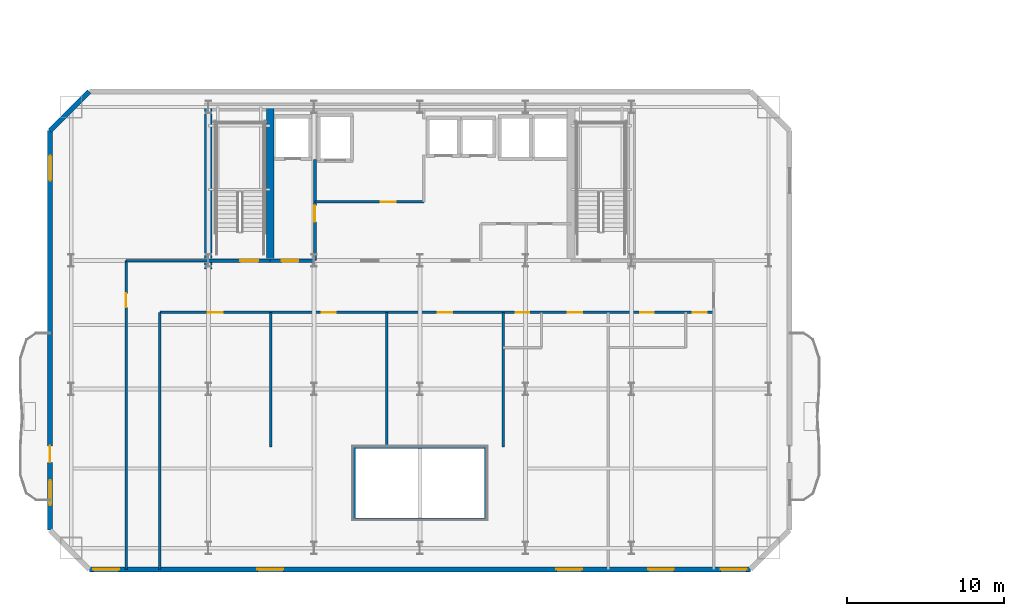
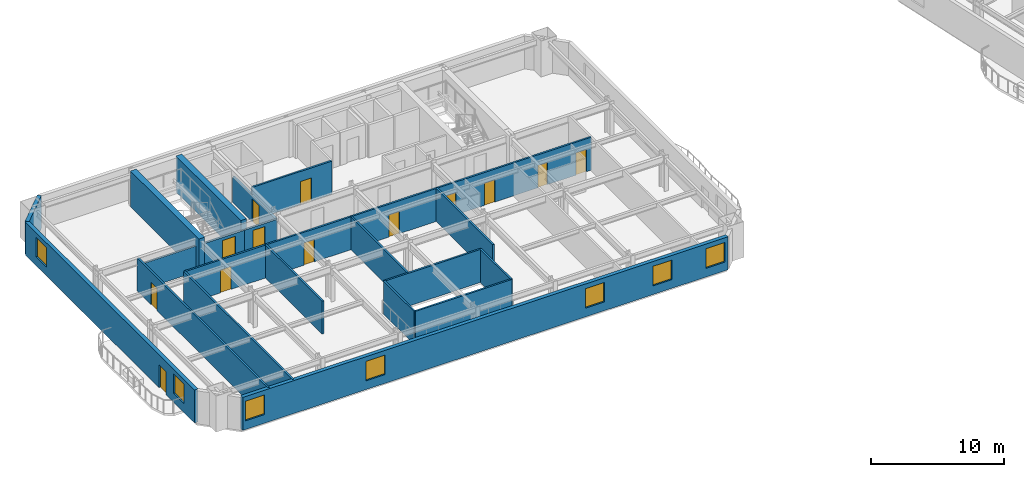
# One storey, part 5 of 13: 20 walls, 13 doors, 7 windows, 20 openings.
"""IFC4 building model written with IfcOpenShell, lengths in metres."""

from ifc_helpers import new_model, si_unit, direction, frame, frame_2d, origin, place, context, subcontext, project, spatial, rectangle, extrude, material, layer, layer_set, type_object, element, fill, save


model = new_model("IFC4")

# Units and contexts
model_context = context("Model", 3, precision=1e-05, world=origin(), true_north=direction((0.0, 1.0)))
body_context = subcontext(model_context, "Body", "Model", "MODEL_VIEW")
ifc_project = project(units=[si_unit("LENGTHUNIT", "METRE"), si_unit("AREAUNIT", "SQUARE_METRE"), si_unit("VOLUMEUNIT", "CUBIC_METRE"), si_unit("PLANEANGLEUNIT", "RADIAN"), si_unit("MASSUNIT", "GRAM", prefix="KILO")], contexts=[model_context])

# Site, building, storey
site_placement = place(None, origin())
site = spatial("IfcSite", under=ifc_project, at=site_placement, CompositionType="ELEMENT")
building_placement = place(site_placement, origin())
building = spatial("IfcBuilding", under=site, at=building_placement, Name="Haevon Station Towers", CompositionType="ELEMENT")
storey_placement = place(building_placement, frame((0.0, 0.0, 99.89990234375)))
storey = spatial("IfcBuildingStorey", under=building, at=storey_placement, Name="L26", CompositionType="ELEMENT", Elevation=99.89990234375)

# Wall, opening, door
ifc_material_1 = material(Name="Gypsum board on steel stud", Category="steel")
ifc_layer_1 = layer(ifc_material_1, 0.199951171875)
ifc_layer_set_1 = layer_set([ifc_layer_1], Name="Gypsum board on steel stud")
wall_type_1 = type_object("IfcWallType", Name="WL-COR200", PredefinedType="PARTITIONING", material=ifc_layer_set_1)
wall_1_placement = place(storey_placement, frame((24.0, 38.199951171875, 0.0), z_axis=(0.0, 0.0, 1.0), x_axis=(1.0, 0.0, 0.0)))
wall_1 = element("IfcWall", 1, at=wall_1_placement, inside=storey, type_object=wall_type_1, Name="WL-ST-ST1-L26", PredefinedType="PARTITIONING", context=body_context, shape_type="SweptSolid", body=[
    extrude(rectangle(XDim=3.949951171875, YDim=0.199951171875, at=frame_2d((1.97509765625, 0.0))), origin(), (0.0, 0.0, 1.0), 2.380126953125),
])
opening_1_placement = place(wall_1_placement, frame((2.050048828125, 0.0, 0.0)))
opening_1 = element("IfcOpeningElement", 2, at=opening_1_placement, cuts=wall_1, Name="Opening DR-ST-ST1-L26", PredefinedType="OPENING", context=body_context, shape_type="SweptSolid", body=[
    extrude(rectangle(XDim=1.1201171875, YDim=2.10009765625, at=frame_2d((0.56005859375, 1.050048828125))), frame((0.0, 0.10986328125, 0.0), z_axis=(0.0, -1.0, 0.0), x_axis=(1.0, 0.0, 0.0)), (0.0, 0.0, 1.0), 0.219970703125),
])
ifc_material_2 = material(Name="Engineered oak timber", Category="wood")
door_type_1 = type_object("IfcDoorType", Name="DR-ST-1120", OperationType="NOTDEFINED", PredefinedType="DOOR", material=ifc_material_2)
door_1_placement = place(opening_1_placement, origin())
door_1 = element("IfcDoor", 3, at=door_1_placement, inside=storey, type_object=door_type_1, Name="L26 Escape Stair ST1 Fire Door", OperationType="SINGLE_SWING_LEFT", OverallHeight=2.10009765625, OverallWidth=1.1201171875, PredefinedType="DOOR", context=body_context, shape_type="SweptSolid", body=[
    extrude(rectangle(XDim=1.1201171875, YDim=2.10009765625, at=frame_2d((0.56005859375, 1.050048828125))), frame((0.0, 0.02490234375, 0.0), z_axis=(0.0, -1.0, 0.0), x_axis=(1.0, 0.0, 0.0)), (0.0, 0.0, 1.0), 0.050048828125),
])
fill(opening_1, door_1)

wall_2_placement = place(storey_placement, frame((30.800048828125, 38.199951171875, 0.0), z_axis=(0.0, 0.0, 1.0), x_axis=(0.0, 1.0, 0.0)))
wall_2 = element("IfcWall", 4, at=wall_2_placement, inside=storey, type_object=wall_type_1, Name="WL-T1FFL-L26-E", PredefinedType="PARTITIONING", context=body_context, shape_type="SweptSolid", body=[
    extrude(rectangle(XDim=6.449951171875, YDim=0.199951171875, at=frame_2d((3.22509765625, 0.0))), origin(), (0.0, 0.0, 1.0), 2.380126953125),
])
opening_2_placement = place(wall_2_placement, frame((2.469970703125, 0.0, 0.0)))
opening_2 = element("IfcOpeningElement", 5, at=opening_2_placement, cuts=wall_2, Name="Opening DR-T1FFL-L26-E", PredefinedType="OPENING", context=body_context, shape_type="SweptSolid", body=[
    extrude(rectangle(XDim=1.050048828125, YDim=2.10009765625, at=frame_2d((0.52490234375, 1.050048828125))), frame((0.0, 0.10986328125, 0.0), z_axis=(0.0, -1.0, 0.0), x_axis=(1.0, 0.0, 0.0)), (0.0, 0.0, 1.0), 0.219970703125),
])
door_type_2 = type_object("IfcDoorType", Name="DR-FD60-1050", OperationType="NOTDEFINED", PredefinedType="DOOR", material=ifc_material_2)
door_2_placement = place(opening_2_placement, origin())
door_2 = element("IfcDoor", 6, at=door_2_placement, inside=storey, type_object=door_type_2, Name="L26 Tower 1 Firefighting Lift Lobby Door E", OperationType="SINGLE_SWING_LEFT", OverallHeight=2.10009765625, OverallWidth=1.050048828125, PredefinedType="DOOR", context=body_context, shape_type="SweptSolid", body=[
    extrude(rectangle(XDim=1.050048828125, YDim=2.10009765625, at=frame_2d((0.52490234375, 1.050048828125))), frame((0.0, 0.02490234375, 0.0), z_axis=(0.0, -1.0, 0.0), x_axis=(1.0, 0.0, 0.0)), (0.0, 0.0, 1.0), 0.050048828125),
])
fill(opening_2, door_2)

wall_3_placement = place(storey_placement, frame((27.949951171875, 38.199951171875, 0.0), z_axis=(0.0, 0.0, 1.0), x_axis=(1.0, 0.0, 0.0)))
wall_3 = element("IfcWall", 7, at=wall_3_placement, inside=storey, type_object=wall_type_1, Name="WL-T1FFL-L26-S", PredefinedType="PARTITIONING", context=body_context, shape_type="SweptSolid", body=[
    extrude(rectangle(XDim=2.85009765625, YDim=0.199951171875, at=frame_2d((1.425048828125, 0.0))), origin(), (0.0, 0.0, 1.0), 2.380126953125),
])
opening_3_placement = place(wall_3_placement, frame((0.75, 0.0, 0.0)))
opening_3 = element("IfcOpeningElement", 8, at=opening_3_placement, cuts=wall_3, Name="Opening DR-T1FFL-L26-S", PredefinedType="OPENING", context=body_context, shape_type="SweptSolid", body=[
    extrude(rectangle(XDim=1.050048828125, YDim=2.10009765625, at=frame_2d((0.52490234375, 1.050048828125))), frame((0.0, 0.10986328125, 0.0), z_axis=(0.0, -1.0, 0.0), x_axis=(1.0, 0.0, 0.0)), (0.0, 0.0, 1.0), 0.219970703125),
])
door_3_placement = place(opening_3_placement, origin())
door_3 = element("IfcDoor", 9, at=door_3_placement, inside=storey, type_object=door_type_2, Name="L26 Tower 1 Firefighting Lift Lobby Door S", OperationType="SINGLE_SWING_RIGHT", OverallHeight=2.10009765625, OverallWidth=1.050048828125, PredefinedType="DOOR", context=body_context, shape_type="SweptSolid", body=[
    extrude(rectangle(XDim=1.050048828125, YDim=2.10009765625, at=frame_2d((0.52490234375, 1.050048828125))), frame((0.0, 0.02490234375, 0.0), z_axis=(0.0, -1.0, 0.0), x_axis=(1.0, 0.0, 0.0)), (0.0, 0.0, 1.0), 0.050048828125),
])
fill(opening_3, door_3)

# Walls
ifc_material_3 = material(Name="Concrete C60/75", Category="concrete")
ifc_layer_2 = layer(ifc_material_3, 0.5)
ifc_layer_set_2 = layer_set([ifc_layer_2], Name="Concrete C60/75")
wall_type_2 = type_object("IfcWallType", Name="WL-CR500", PredefinedType="SHEAR", material=ifc_layer_set_2)
wall_4_placement = place(storey_placement, frame((24.0, 37.679931640625, 0.0), z_axis=(0.0, 0.0, 1.0), x_axis=(0.0, 1.0, 0.0)))
element("IfcWall", 10, at=wall_4_placement, inside=storey, type_object=wall_type_2, Name="WL-T1CR-L26-W", PredefinedType="SHEAR", context=body_context, shape_type="SweptSolid", body=[
    extrude(rectangle(XDim=10.320068359375, YDim=0.5, at=frame_2d((5.16015625, 0.0))), origin(), (0.0, 0.0, 1.0), 3.300048828125),
])
wall_5_placement = place(storey_placement, frame((27.949951171875, 38.199951171875, 0.0), z_axis=(0.0, 0.0, 1.0), x_axis=(0.0, 1.0, 0.0)))
element("IfcWall", 11, at=wall_5_placement, inside=storey, type_object=wall_type_2, Name="WL-T1CR-L26-M1", PredefinedType="SHEAR", context=body_context, shape_type="SweptSolid", body=[
    extrude(rectangle(XDim=9.800048828125, YDim=0.5, at=frame_2d((4.89990234375, 0.0))), origin(), (0.0, 0.0, 1.0), 3.300048828125),
])

# Wall, openings, windows
ifc_material_4 = material(Name="Precast concrete C45/55", Category="concrete")
ifc_layer_3 = layer(ifc_material_4, 0.320068359375)
ifc_layer_set_3 = layer_set([ifc_layer_3], Name="Precast concrete C45/55")
wall_type_3 = type_object("IfcWallType", Name="WL-EXT-PIER320", PredefinedType="SOLIDWALL", material=ifc_layer_set_3)
wall_6_placement = place(storey_placement, frame((58.60009765625, 18.5, 0.0), z_axis=(0.0, 0.0, 1.0), x_axis=(-1.0, 0.0, 0.0)))
wall_6 = element("IfcWall", 12, at=wall_6_placement, inside=storey, type_object=wall_type_3, Name="WL-T1-L26-S", PredefinedType="SOLIDWALL", context=body_context, shape_type="SweptSolid", body=[
    extrude(rectangle(XDim=42.2001953125, YDim=0.320068359375, at=frame_2d((21.10009765625, 0.0))), origin(), (0.0, 0.0, 1.0), 3.030029296875),
])
opening_4_placement = place(wall_6_placement, frame((40.300048828125, 0.0, 0.800048828125)))
opening_4 = element("IfcOpeningElement", 13, at=opening_4_placement, cuts=wall_6, Name="Opening WN-P165", PredefinedType="OPENING", context=body_context, shape_type="SweptSolid", body=[
    extrude(rectangle(XDim=1.64990234375, YDim=1.800048828125, at=frame_2d((0.824951171875, 0.89990234375))), frame((0.0, 0.169921875, 0.0), z_axis=(0.0, -1.0, 0.0), x_axis=(1.0, 0.0, 0.0)), (0.0, 0.0, 1.0), 0.340087890625),
])
opening_5_placement = place(wall_6_placement, frame((0.25, 0.0, 0.800048828125)))
opening_5 = element("IfcOpeningElement", 14, at=opening_5_placement, cuts=wall_6, Name="Opening WN-P165", PredefinedType="OPENING", context=body_context, shape_type="SweptSolid", body=[
    extrude(rectangle(XDim=1.64990234375, YDim=1.800048828125, at=frame_2d((0.824951171875, 0.89990234375))), frame((0.0, 0.169921875, 0.0), z_axis=(0.0, -1.0, 0.0), x_axis=(1.0, 0.0, 0.0)), (0.0, 0.0, 1.0), 0.340087890625),
])
opening_6_placement = place(wall_6_placement, frame((29.81787109375, 0.0, 0.800048828125)))
opening_6 = element("IfcOpeningElement", 15, at=opening_6_placement, cuts=wall_6, Name="Opening WN-P165", PredefinedType="OPENING", context=body_context, shape_type="SweptSolid", body=[
    extrude(rectangle(XDim=1.64990234375, YDim=1.800048828125, at=frame_2d((0.824951171875, 0.89990234375))), frame((0.0, 0.169921875, 0.0), z_axis=(0.0, -1.0, 0.0), x_axis=(1.0, 0.0, 0.0)), (0.0, 0.0, 1.0), 0.340087890625),
])
opening_7_placement = place(wall_6_placement, frame((10.738525390625, 0.0, 0.800048828125)))
opening_7 = element("IfcOpeningElement", 16, at=opening_7_placement, cuts=wall_6, Name="Opening WN-P165", PredefinedType="OPENING", context=body_context, shape_type="SweptSolid", body=[
    extrude(rectangle(XDim=1.64990234375, YDim=1.800048828125, at=frame_2d((0.824951171875, 0.89990234375))), frame((0.0, 0.169921875, 0.0), z_axis=(0.0, -1.0, 0.0), x_axis=(1.0, 0.0, 0.0)), (0.0, 0.0, 1.0), 0.340087890625),
])
opening_8_placement = place(wall_6_placement, frame((4.88330078125, 0.0, 0.800048828125)))
opening_8 = element("IfcOpeningElement", 17, at=opening_8_placement, cuts=wall_6, Name="Opening WN-P165", PredefinedType="OPENING", context=body_context, shape_type="SweptSolid", body=[
    extrude(rectangle(XDim=1.64990234375, YDim=1.800048828125, at=frame_2d((0.824951171875, 0.89990234375))), frame((0.0, 0.169921875, 0.0), z_axis=(0.0, -1.0, 0.0), x_axis=(1.0, 0.0, 0.0)), (0.0, 0.0, 1.0), 0.340087890625),
])
ifc_material_5 = material(Name="Low-E triple glazing in thermally broken aluminium", Category="aluminium")
window_type_1 = type_object("IfcWindowType", Name="WN-P165", PartitioningType="SINGLE_PANEL", PredefinedType="WINDOW", material=ifc_material_5)
window_1_placement = place(opening_4_placement, origin())
window_1 = element("IfcWindow", 18, at=window_1_placement, inside=storey, type_object=window_type_1, Name="WN-T1-L26-S01", OverallHeight=1.800048828125, OverallWidth=1.64990234375, PartitioningType="SINGLE_PANEL", PredefinedType="WINDOW", context=body_context, shape_type="SweptSolid", body=[
    extrude(rectangle(XDim=1.64990234375, YDim=1.800048828125, at=frame_2d((0.824951171875, 0.89990234375))), frame((0.0, 0.030029296875, 0.0), z_axis=(0.0, -1.0, 0.0), x_axis=(1.0, 0.0, 0.0)), (0.0, 0.0, 1.0), 0.06005859375),
])
fill(opening_4, window_1)
window_2_placement = place(opening_5_placement, origin())
window_2 = element("IfcWindow", 19, at=window_2_placement, inside=storey, type_object=window_type_1, Name="WN-T1-L26-S02", OverallHeight=1.800048828125, OverallWidth=1.64990234375, PartitioningType="SINGLE_PANEL", PredefinedType="WINDOW", context=body_context, shape_type="SweptSolid", body=[
    extrude(rectangle(XDim=1.64990234375, YDim=1.800048828125, at=frame_2d((0.824951171875, 0.89990234375))), frame((0.0, 0.030029296875, 0.0), z_axis=(0.0, -1.0, 0.0), x_axis=(1.0, 0.0, 0.0)), (0.0, 0.0, 1.0), 0.06005859375),
])
fill(opening_5, window_2)
window_3_placement = place(opening_6_placement, origin())
window_3 = element("IfcWindow", 20, at=window_3_placement, inside=storey, type_object=window_type_1, Name="WN-T1-L26-S03", OverallHeight=1.800048828125, OverallWidth=1.64990234375, PartitioningType="SINGLE_PANEL", PredefinedType="WINDOW", context=body_context, shape_type="SweptSolid", body=[
    extrude(rectangle(XDim=1.64990234375, YDim=1.800048828125, at=frame_2d((0.824951171875, 0.89990234375))), frame((0.0, 0.030029296875, 0.0), z_axis=(0.0, -1.0, 0.0), x_axis=(1.0, 0.0, 0.0)), (0.0, 0.0, 1.0), 0.06005859375),
])
fill(opening_6, window_3)
window_4_placement = place(opening_7_placement, origin())
window_4 = element("IfcWindow", 21, at=window_4_placement, inside=storey, type_object=window_type_1, Name="WN-T1-L26-S04", OverallHeight=1.800048828125, OverallWidth=1.64990234375, PartitioningType="SINGLE_PANEL", PredefinedType="WINDOW", context=body_context, shape_type="SweptSolid", body=[
    extrude(rectangle(XDim=1.64990234375, YDim=1.800048828125, at=frame_2d((0.824951171875, 0.89990234375))), frame((0.0, 0.030029296875, 0.0), z_axis=(0.0, -1.0, 0.0), x_axis=(1.0, 0.0, 0.0)), (0.0, 0.0, 1.0), 0.06005859375),
])
fill(opening_7, window_4)
window_5_placement = place(opening_8_placement, origin())
window_5 = element("IfcWindow", 22, at=window_5_placement, inside=storey, type_object=window_type_1, Name="WN-T1-L26-S05", OverallHeight=1.800048828125, OverallWidth=1.64990234375, PartitioningType="SINGLE_PANEL", PredefinedType="WINDOW", context=body_context, shape_type="SweptSolid", body=[
    extrude(rectangle(XDim=1.64990234375, YDim=1.800048828125, at=frame_2d((0.824951171875, 0.89990234375))), frame((0.0, 0.030029296875, 0.0), z_axis=(0.0, -1.0, 0.0), x_axis=(1.0, 0.0, 0.0)), (0.0, 0.0, 1.0), 0.06005859375),
])
fill(opening_8, window_5)

# Wall, openings, door, windows
wall_7_placement = place(storey_placement, frame((13.89990234375, 21.0, 0.0), z_axis=(0.0, 0.0, 1.0), x_axis=(0.0, 1.0, 0.0)))
wall_7 = element("IfcWall", 23, at=wall_7_placement, inside=storey, type_object=wall_type_3, Name="WL-T1-L26-W", PredefinedType="SOLIDWALL", context=body_context, shape_type="SweptSolid", body=[
    extrude(rectangle(XDim=25.5, YDim=0.320068359375, at=frame_2d((12.75, 0.0))), origin(), (0.0, 0.0, 1.0), 3.030029296875),
])
opening_9_placement = place(wall_7_placement, frame((4.324951171875, 0.0, 0.0)))
opening_9 = element("IfcOpeningElement", 24, at=opening_9_placement, cuts=wall_7, Name="Opening DR-T1-SCAL-L26-W", PredefinedType="OPENING", context=body_context, shape_type="SweptSolid", body=[
    extrude(rectangle(XDim=1.050048828125, YDim=2.10009765625, at=frame_2d((0.52490234375, 1.050048828125))), frame((0.0, 0.169921875, 0.0), z_axis=(0.0, -1.0, 0.0), x_axis=(1.0, 0.0, 0.0)), (0.0, 0.0, 1.0), 0.340087890625),
])
opening_10_placement = place(wall_7_placement, frame((1.596435546875, 0.0, 0.800048828125)))
opening_10 = element("IfcOpeningElement", 25, at=opening_10_placement, cuts=wall_7, Name="Opening WN-END160", PredefinedType="OPENING", context=body_context, shape_type="SweptSolid", body=[
    extrude(rectangle(XDim=1.60009765625, YDim=1.800048828125, at=frame_2d((0.800048828125, 0.89990234375))), frame((0.0, 0.169921875, 0.0), z_axis=(0.0, -1.0, 0.0), x_axis=(1.0, 0.0, 0.0)), (0.0, 0.0, 1.0), 0.340087890625),
])
opening_11_placement = place(wall_7_placement, frame((22.3037109375, 0.0, 0.800048828125)))
opening_11 = element("IfcOpeningElement", 26, at=opening_11_placement, cuts=wall_7, Name="Opening WN-END160", PredefinedType="OPENING", context=body_context, shape_type="SweptSolid", body=[
    extrude(rectangle(XDim=1.60009765625, YDim=1.800048828125, at=frame_2d((0.800048828125, 0.89990234375))), frame((0.0, 0.169921875, 0.0), z_axis=(0.0, -1.0, 0.0), x_axis=(1.0, 0.0, 0.0)), (0.0, 0.0, 1.0), 0.340087890625),
])
ifc_material_6 = material(Name="Thermally broken anodised aluminium and laminated safety glass", Category="aluminium")
door_type_3 = type_object("IfcDoorType", Name="DR-BALC-1050", OperationType="NOTDEFINED", PredefinedType="DOOR", material=ifc_material_6)
door_4_placement = place(opening_9_placement, origin())
door_4 = element("IfcDoor", 27, at=door_4_placement, inside=storey, type_object=door_type_3, Name="Tower 1 L26 West Scalloped Balcony Door", OperationType="SINGLE_SWING_LEFT", OverallHeight=2.10009765625, OverallWidth=1.050048828125, PredefinedType="DOOR", context=body_context, shape_type="SweptSolid", body=[
    extrude(rectangle(XDim=1.050048828125, YDim=2.10009765625, at=frame_2d((0.52490234375, 1.050048828125))), frame((0.0, 0.02490234375, 0.0), z_axis=(0.0, -1.0, 0.0), x_axis=(1.0, 0.0, 0.0)), (0.0, 0.0, 1.0), 0.050048828125),
])
fill(opening_9, door_4)
window_type_2 = type_object("IfcWindowType", Name="WN-END160", PartitioningType="SINGLE_PANEL", PredefinedType="WINDOW", material=ifc_material_5)
window_6_placement = place(opening_10_placement, origin())
window_6 = element("IfcWindow", 28, at=window_6_placement, inside=storey, type_object=window_type_2, Name="WN-T1-L26-W01", OverallHeight=1.800048828125, OverallWidth=1.60009765625, PartitioningType="SINGLE_PANEL", PredefinedType="WINDOW", context=body_context, shape_type="SweptSolid", body=[
    extrude(rectangle(XDim=1.60009765625, YDim=1.800048828125, at=frame_2d((0.800048828125, 0.89990234375))), frame((0.0, 0.030029296875, 0.0), z_axis=(0.0, -1.0, 0.0), x_axis=(1.0, 0.0, 0.0)), (0.0, 0.0, 1.0), 0.06005859375),
])
fill(opening_10, window_6)
window_7_placement = place(opening_11_placement, origin())
window_7 = element("IfcWindow", 29, at=window_7_placement, inside=storey, type_object=window_type_2, Name="WN-T1-L26-W02", OverallHeight=1.800048828125, OverallWidth=1.60009765625, PartitioningType="SINGLE_PANEL", PredefinedType="WINDOW", context=body_context, shape_type="SweptSolid", body=[
    extrude(rectangle(XDim=1.60009765625, YDim=1.800048828125, at=frame_2d((0.800048828125, 0.89990234375))), frame((0.0, 0.030029296875, 0.0), z_axis=(0.0, -1.0, 0.0), x_axis=(1.0, 0.0, 0.0)), (0.0, 0.0, 1.0), 0.06005859375),
])
fill(opening_11, window_7)

# Wall
wall_8_placement = place(storey_placement, frame((13.89990234375, 46.5, 0.0), z_axis=(0.0, 0.0, 1.0), x_axis=(0.707106781187, 0.707106781187, 0.0)))
element("IfcWall", 30, at=wall_8_placement, inside=storey, type_object=wall_type_3, Name="WL-T1-L26-NWC", PredefinedType="SOLIDWALL", context=body_context, shape_type="SweptSolid", body=[
    extrude(rectangle(XDim=3.53564453125, YDim=0.320068359375, at=frame_2d((1.767822265625, 0.0))), origin(), (0.0, 0.0, 1.0), 3.030029296875),
])

# Wall, opening, door
ifc_layer_4 = layer(ifc_material_1, 0.159912109375)
ifc_layer_set_4 = layer_set([ifc_layer_4], Name="Gypsum board on steel stud")
wall_type_4 = type_object("IfcWallType", Name="WL-PRT160", PredefinedType="PARTITIONING", material=ifc_layer_set_4)
wall_9_placement = place(storey_placement, frame((30.800048828125, 41.949951171875, 0.0), z_axis=(0.0, 0.0, 1.0), x_axis=(1.0, 0.0, 0.0)))
wall_9 = element("IfcWall", 31, at=wall_9_placement, inside=storey, type_object=wall_type_4, Name="WL-T1CW-L26-01", PredefinedType="PARTITIONING", context=body_context, shape_type="SweptSolid", body=[
    extrude(rectangle(XDim=6.949951171875, YDim=0.159912109375, at=frame_2d((3.47509765625, 0.0))), origin(), (0.0, 0.0, 1.0), 3.030029296875),
])
opening_12_placement = place(wall_9_placement, frame((4.199951171875, 0.0, 0.0)))
opening_12 = element("IfcOpeningElement", 32, at=opening_12_placement, cuts=wall_9, Name="Opening DR-WL-T1CW-L26-01-1", PredefinedType="OPENING", context=body_context, shape_type="SweptSolid", body=[
    extrude(rectangle(XDim=0.949951171875, YDim=2.10009765625, at=frame_2d((0.47509765625, 1.050048828125))), frame((0.0, 0.08984375, 0.0), z_axis=(0.0, -1.0, 0.0), x_axis=(1.0, 0.0, 0.0)), (0.0, 0.0, 1.0), 0.179931640625),
])
door_type_4 = type_object("IfcDoorType", Name="DR-FD60-950", OperationType="NOTDEFINED", PredefinedType="DOOR", material=ifc_material_2)
door_5_placement = place(opening_12_placement, origin())
door_5 = element("IfcDoor", 33, at=door_5_placement, inside=storey, type_object=door_type_4, Name="L26 Tower 1 Core Room Door 1-1", OperationType="SINGLE_SWING_RIGHT", OverallHeight=2.10009765625, OverallWidth=0.949951171875, PredefinedType="DOOR", context=body_context, shape_type="SweptSolid", body=[
    extrude(rectangle(XDim=0.949951171875, YDim=2.10009765625, at=frame_2d((0.47509765625, 1.050048828125))), frame((0.0, 0.02490234375, 0.0), z_axis=(0.0, -1.0, 0.0), x_axis=(1.0, 0.0, 0.0)), (0.0, 0.0, 1.0), 0.050048828125),
])
fill(opening_12, door_5)

# Walls
wall_10_placement = place(storey_placement, frame((20.89990234375, 18.5, 0.0), z_axis=(0.0, 0.0, 1.0), x_axis=(0.0, 1.0, 0.0)))
element("IfcWall", 34, at=wall_10_placement, inside=storey, type_object=wall_type_4, Name="WL-T1PT-L26-01", PredefinedType="PARTITIONING", context=body_context, shape_type="SweptSolid", body=[
    extrude(rectangle(XDim=16.39990234375, YDim=0.159912109375, at=frame_2d((8.199951171875, 0.0))), origin(), (0.0, 0.0, 1.0), 3.030029296875),
])
wall_11_placement = place(storey_placement, frame((18.75, 38.199951171875, 0.0), z_axis=(0.0, 0.0, 1.0), x_axis=(1.0, 0.0, 0.0)))
element("IfcWall", 35, at=wall_11_placement, inside=storey, type_object=wall_type_4, Name="WL-T1PT-L26-02", PredefinedType="PARTITIONING", context=body_context, shape_type="SweptSolid", body=[
    extrude(rectangle(XDim=5.25, YDim=0.159912109375, at=frame_2d((2.625, 0.0))), origin(), (0.0, 0.0, 1.0), 2.380126953125),
])

# Wall, opening, door
wall_12_placement = place(storey_placement, frame((18.75, 18.5, 0.0), z_axis=(0.0, 0.0, 1.0), x_axis=(0.0, 1.0, 0.0)))
wall_12 = element("IfcWall", 36, at=wall_12_placement, inside=storey, type_object=wall_type_4, Name="WL-T1PT-L26-04", PredefinedType="PARTITIONING", context=body_context, shape_type="SweptSolid", body=[
    extrude(rectangle(XDim=19.699951171875, YDim=0.159912109375, at=frame_2d((9.85009765625, 0.0))), origin(), (0.0, 0.0, 1.0), 3.030029296875),
])
opening_13_placement = place(wall_12_placement, frame((16.719970703125, 0.0, 0.0)))
opening_13 = element("IfcOpeningElement", 37, at=opening_13_placement, cuts=wall_12, Name="Opening DR-WL-T1PT-L26-04-01", PredefinedType="OPENING", context=body_context, shape_type="SweptSolid", body=[
    extrude(rectangle(XDim=0.89990234375, YDim=2.050048828125, at=frame_2d((0.449951171875, 1.02490234375))), frame((0.0, 0.08984375, 0.0), z_axis=(0.0, -1.0, 0.0), x_axis=(1.0, 0.0, 0.0)), (0.0, 0.0, 1.0), 0.179931640625),
])
door_type_5 = type_object("IfcDoorType", Name="DR-INT-900", OperationType="NOTDEFINED", PredefinedType="DOOR", material=ifc_material_2)
door_6_placement = place(opening_13_placement, origin())
door_6 = element("IfcDoor", 38, at=door_6_placement, inside=storey, type_object=door_type_5, Name="L26 Tower 1 Room Door 4-1", OperationType="SINGLE_SWING_LEFT", OverallHeight=2.050048828125, OverallWidth=0.89990234375, PredefinedType="DOOR", context=body_context, shape_type="SweptSolid", body=[
    extrude(rectangle(XDim=0.89990234375, YDim=2.050048828125, at=frame_2d((0.449951171875, 1.02490234375))), frame((0.0, 0.02490234375, 0.0), z_axis=(0.0, -1.0, 0.0), x_axis=(1.0, 0.0, 0.0)), (0.0, 0.0, 1.0), 0.050048828125),
])
fill(opening_13, door_6)

# Walls
for number, where, z_axis, x_axis, name in (
    (39, (33.300048828125, 21.699951171875, 0.0), (0.0, 0.0, 1.0), (1.0, 0.0, 0.0), "WL-T1PT-L26-06"),
    (40, (33.300048828125, 26.300048828125, 0.0), (0.0, 0.0, 1.0), (1.0, 0.0, 0.0), "WL-T1PT-L26-07"),
):
    element("IfcWall", number, at=place(storey_placement, frame(where, z_axis=z_axis, x_axis=x_axis)), inside=storey, type_object=wall_type_4, Name=name, PredefinedType="PARTITIONING", context=body_context, shape_type="SweptSolid", body=[
        extrude(rectangle(XDim=8.39990234375, YDim=0.159912109375, at=frame_2d((4.199951171875, 0.0))), origin(), (0.0, 0.0, 1.0), 3.030029296875),
    ])
for number, where, z_axis, x_axis, name in (
    (41, (33.300048828125, 21.699951171875, 0.0), (0.0, 0.0, 1.0), (0.0, 1.0, 0.0), "WL-T1PT-L26-08"),
    (42, (41.699951171875, 21.699951171875, 0.0), (0.0, 0.0, 1.0), (0.0, 1.0, 0.0), "WL-T1PT-L26-09"),
):
    element("IfcWall", number, at=place(storey_placement, frame(where, z_axis=z_axis, x_axis=x_axis)), inside=storey, type_object=wall_type_4, Name=name, PredefinedType="PARTITIONING", context=body_context, shape_type="SweptSolid", body=[
        extrude(rectangle(XDim=4.60009765625, YDim=0.159912109375, at=frame_2d((2.300048828125, 0.0))), origin(), (0.0, 0.0, 1.0), 3.030029296875),
    ])
for number, where, z_axis, x_axis, name in (
    (43, (27.969970703125, 26.300048828125, 0.0), (0.0, 0.0, 1.0), (0.0, 1.0, 0.0), "WL-T1PT-L26-10"),
    (44, (35.3935546875, 26.300048828125, 0.0), (0.0, 0.0, 1.0), (0.0, 1.0, 0.0), "WL-T1PT-L26-11"),
    (45, (42.81689453125, 26.300048828125, 0.0), (0.0, 0.0, 1.0), (0.0, 1.0, 0.0), "WL-T1PT-L26-13"),
):
    element("IfcWall", number, at=place(storey_placement, frame(where, z_axis=z_axis, x_axis=x_axis)), inside=storey, type_object=wall_type_4, Name=name, PredefinedType="PARTITIONING", context=body_context, shape_type="SweptSolid", body=[
        extrude(rectangle(XDim=8.599853515625, YDim=0.159912109375, at=frame_2d((4.2998046875, 0.0))), origin(), (0.0, 0.0, 1.0), 3.030029296875),
    ])

# Wall, openings, doors
wall_13_placement = place(storey_placement, frame((20.89990234375, 34.89990234375, 0.0), z_axis=(0.0, 0.0, 1.0), x_axis=(1.0, 0.0, 0.0)))
wall_13 = element("IfcWall", 46, at=wall_13_placement, inside=storey, type_object=wall_type_4, Name="WL-T1PT-L26-20", PredefinedType="PARTITIONING", context=body_context, shape_type="SweptSolid", body=[
    extrude(rectangle(XDim=35.35009765625, YDim=0.159912109375, at=frame_2d((17.675048828125, 0.0))), origin(), (0.0, 0.0, 1.0), 3.030029296875),
])
opening_14_placement = place(wall_13_placement, frame((3.06005859375, 0.0, 0.0)))
opening_14 = element("IfcOpeningElement", 47, at=opening_14_placement, cuts=wall_13, Name="Opening DR-WL-T1PT-L26-20-01", PredefinedType="OPENING", context=body_context, shape_type="SweptSolid", body=[
    extrude(rectangle(XDim=0.949951171875, YDim=2.10009765625, at=frame_2d((0.47509765625, 1.050048828125))), frame((0.0, 0.08984375, 0.0), z_axis=(0.0, -1.0, 0.0), x_axis=(1.0, 0.0, 0.0)), (0.0, 0.0, 1.0), 0.179931640625),
])
opening_15_placement = place(wall_13_placement, frame((10.33203125, 0.0, 0.0)))
opening_15 = element("IfcOpeningElement", 48, at=opening_15_placement, cuts=wall_13, Name="Opening DR-WL-T1PT-L26-20-02", PredefinedType="OPENING", context=body_context, shape_type="SweptSolid", body=[
    extrude(rectangle(XDim=0.89990234375, YDim=2.050048828125, at=frame_2d((0.449951171875, 1.02490234375))), frame((0.0, 0.08984375, 0.0), z_axis=(0.0, -1.0, 0.0), x_axis=(1.0, 0.0, 0.0)), (0.0, 0.0, 1.0), 0.179931640625),
])
opening_16_placement = place(wall_13_placement, frame((17.7548828125, 0.0, 0.0)))
opening_16 = element("IfcOpeningElement", 49, at=opening_16_placement, cuts=wall_13, Name="Opening DR-WL-T1PT-L26-20-03", PredefinedType="OPENING", context=body_context, shape_type="SweptSolid", body=[
    extrude(rectangle(XDim=0.89990234375, YDim=2.050048828125, at=frame_2d((0.449951171875, 1.02490234375))), frame((0.0, 0.08984375, 0.0), z_axis=(0.0, -1.0, 0.0), x_axis=(1.0, 0.0, 0.0)), (0.0, 0.0, 1.0), 0.179931640625),
])
opening_17_placement = place(wall_13_placement, frame((22.717041015625, 0.0, 0.0)))
opening_17 = element("IfcOpeningElement", 50, at=opening_17_placement, cuts=wall_13, Name="Opening DR-WL-T1PT-L26-20-04", PredefinedType="OPENING", context=body_context, shape_type="SweptSolid", body=[
    extrude(rectangle(XDim=0.85009765625, YDim=2.050048828125, at=frame_2d((0.425048828125, 1.02490234375))), frame((0.0, 0.08984375, 0.0), z_axis=(0.0, -1.0, 0.0), x_axis=(1.0, 0.0, 0.0)), (0.0, 0.0, 1.0), 0.179931640625),
])
opening_18_placement = place(wall_13_placement, frame((26.050048828125, 0.0, 0.0)))
opening_18 = element("IfcOpeningElement", 51, at=opening_18_placement, cuts=wall_13, Name="Opening DR-WL-T1PT-L26-20-05", PredefinedType="OPENING", context=body_context, shape_type="SweptSolid", body=[
    extrude(rectangle(XDim=0.89990234375, YDim=2.050048828125, at=frame_2d((0.449951171875, 1.02490234375))), frame((0.0, 0.08984375, 0.0), z_axis=(0.0, -1.0, 0.0), x_axis=(1.0, 0.0, 0.0)), (0.0, 0.0, 1.0), 0.179931640625),
])
opening_19_placement = place(wall_13_placement, frame((30.677001953125, 0.0, 0.0)))
opening_19 = element("IfcOpeningElement", 52, at=opening_19_placement, cuts=wall_13, Name="Opening DR-WL-T1PT-L26-20-06", PredefinedType="OPENING", context=body_context, shape_type="SweptSolid", body=[
    extrude(rectangle(XDim=0.85009765625, YDim=2.050048828125, at=frame_2d((0.425048828125, 1.02490234375))), frame((0.0, 0.08984375, 0.0), z_axis=(0.0, -1.0, 0.0), x_axis=(1.0, 0.0, 0.0)), (0.0, 0.0, 1.0), 0.179931640625),
])
opening_20_placement = place(wall_13_placement, frame((34.010009765625, 0.0, 0.0)))
opening_20 = element("IfcOpeningElement", 53, at=opening_20_placement, cuts=wall_13, Name="Opening DR-WL-T1PT-L26-20-07", PredefinedType="OPENING", context=body_context, shape_type="SweptSolid", body=[
    extrude(rectangle(XDim=0.89990234375, YDim=2.050048828125, at=frame_2d((0.449951171875, 1.02490234375))), frame((0.0, 0.08984375, 0.0), z_axis=(0.0, -1.0, 0.0), x_axis=(1.0, 0.0, 0.0)), (0.0, 0.0, 1.0), 0.179931640625),
])
door_type_6 = type_object("IfcDoorType", Name="DR-FD30-850", OperationType="NOTDEFINED", PredefinedType="DOOR", material=ifc_material_2)
door_7_placement = place(opening_17_placement, origin())
door_7 = element("IfcDoor", 54, at=door_7_placement, inside=storey, type_object=door_type_6, Name="L26 Tower 1 Room Door 20-4", OperationType="SINGLE_SWING_RIGHT", OverallHeight=2.050048828125, OverallWidth=0.85009765625, PredefinedType="DOOR", context=body_context, shape_type="SweptSolid", body=[
    extrude(rectangle(XDim=0.85009765625, YDim=2.050048828125, at=frame_2d((0.425048828125, 1.02490234375))), frame((0.0, 0.02490234375, 0.0), z_axis=(0.0, -1.0, 0.0), x_axis=(1.0, 0.0, 0.0)), (0.0, 0.0, 1.0), 0.050048828125),
])
fill(opening_17, door_7)
door_8_placement = place(opening_19_placement, origin())
door_8 = element("IfcDoor", 55, at=door_8_placement, inside=storey, type_object=door_type_6, Name="L26 Tower 1 Room Door 20-6", OperationType="SINGLE_SWING_RIGHT", OverallHeight=2.050048828125, OverallWidth=0.85009765625, PredefinedType="DOOR", context=body_context, shape_type="SweptSolid", body=[
    extrude(rectangle(XDim=0.85009765625, YDim=2.050048828125, at=frame_2d((0.425048828125, 1.02490234375))), frame((0.0, 0.02490234375, 0.0), z_axis=(0.0, -1.0, 0.0), x_axis=(1.0, 0.0, 0.0)), (0.0, 0.0, 1.0), 0.050048828125),
])
fill(opening_19, door_8)
door_type_7 = type_object("IfcDoorType", Name="DR-FD30-950", OperationType="NOTDEFINED", PredefinedType="DOOR", material=ifc_material_2)
door_9_placement = place(opening_14_placement, origin())
door_9 = element("IfcDoor", 56, at=door_9_placement, inside=storey, type_object=door_type_7, Name="L26 Tower 1 Room Door 20-1", OperationType="SINGLE_SWING_LEFT", OverallHeight=2.10009765625, OverallWidth=0.949951171875, PredefinedType="DOOR", context=body_context, shape_type="SweptSolid", body=[
    extrude(rectangle(XDim=0.949951171875, YDim=2.10009765625, at=frame_2d((0.47509765625, 1.050048828125))), frame((0.0, 0.02490234375, 0.0), z_axis=(0.0, -1.0, 0.0), x_axis=(1.0, 0.0, 0.0)), (0.0, 0.0, 1.0), 0.050048828125),
])
fill(opening_14, door_9)
door_10_placement = place(opening_15_placement, origin())
door_10 = element("IfcDoor", 57, at=door_10_placement, inside=storey, type_object=door_type_5, Name="L26 Tower 1 Room Door 20-2", OperationType="SINGLE_SWING_RIGHT", OverallHeight=2.050048828125, OverallWidth=0.89990234375, PredefinedType="DOOR", context=body_context, shape_type="SweptSolid", body=[
    extrude(rectangle(XDim=0.89990234375, YDim=2.050048828125, at=frame_2d((0.449951171875, 1.02490234375))), frame((0.0, 0.02490234375, 0.0), z_axis=(0.0, -1.0, 0.0), x_axis=(1.0, 0.0, 0.0)), (0.0, 0.0, 1.0), 0.050048828125),
])
fill(opening_15, door_10)
door_11_placement = place(opening_16_placement, origin())
door_11 = element("IfcDoor", 58, at=door_11_placement, inside=storey, type_object=door_type_5, Name="L26 Tower 1 Room Door 20-3", OperationType="SINGLE_SWING_LEFT", OverallHeight=2.050048828125, OverallWidth=0.89990234375, PredefinedType="DOOR", context=body_context, shape_type="SweptSolid", body=[
    extrude(rectangle(XDim=0.89990234375, YDim=2.050048828125, at=frame_2d((0.449951171875, 1.02490234375))), frame((0.0, 0.02490234375, 0.0), z_axis=(0.0, -1.0, 0.0), x_axis=(1.0, 0.0, 0.0)), (0.0, 0.0, 1.0), 0.050048828125),
])
fill(opening_16, door_11)
door_12_placement = place(opening_18_placement, origin())
door_12 = element("IfcDoor", 59, at=door_12_placement, inside=storey, type_object=door_type_5, Name="L26 Tower 1 Room Door 20-5", OperationType="SINGLE_SWING_LEFT", OverallHeight=2.050048828125, OverallWidth=0.89990234375, PredefinedType="DOOR", context=body_context, shape_type="SweptSolid", body=[
    extrude(rectangle(XDim=0.89990234375, YDim=2.050048828125, at=frame_2d((0.449951171875, 1.02490234375))), frame((0.0, 0.02490234375, 0.0), z_axis=(0.0, -1.0, 0.0), x_axis=(1.0, 0.0, 0.0)), (0.0, 0.0, 1.0), 0.050048828125),
])
fill(opening_18, door_12)
door_13_placement = place(opening_20_placement, origin())
door_13 = element("IfcDoor", 60, at=door_13_placement, inside=storey, type_object=door_type_5, Name="L26 Tower 1 Room Door 20-7", OperationType="SINGLE_SWING_LEFT", OverallHeight=2.050048828125, OverallWidth=0.89990234375, PredefinedType="DOOR", context=body_context, shape_type="SweptSolid", body=[
    extrude(rectangle(XDim=0.89990234375, YDim=2.050048828125, at=frame_2d((0.449951171875, 1.02490234375))), frame((0.0, 0.02490234375, 0.0), z_axis=(0.0, -1.0, 0.0), x_axis=(1.0, 0.0, 0.0)), (0.0, 0.0, 1.0), 0.050048828125),
])
fill(opening_20, door_13)

save(model, "model.ifc")
